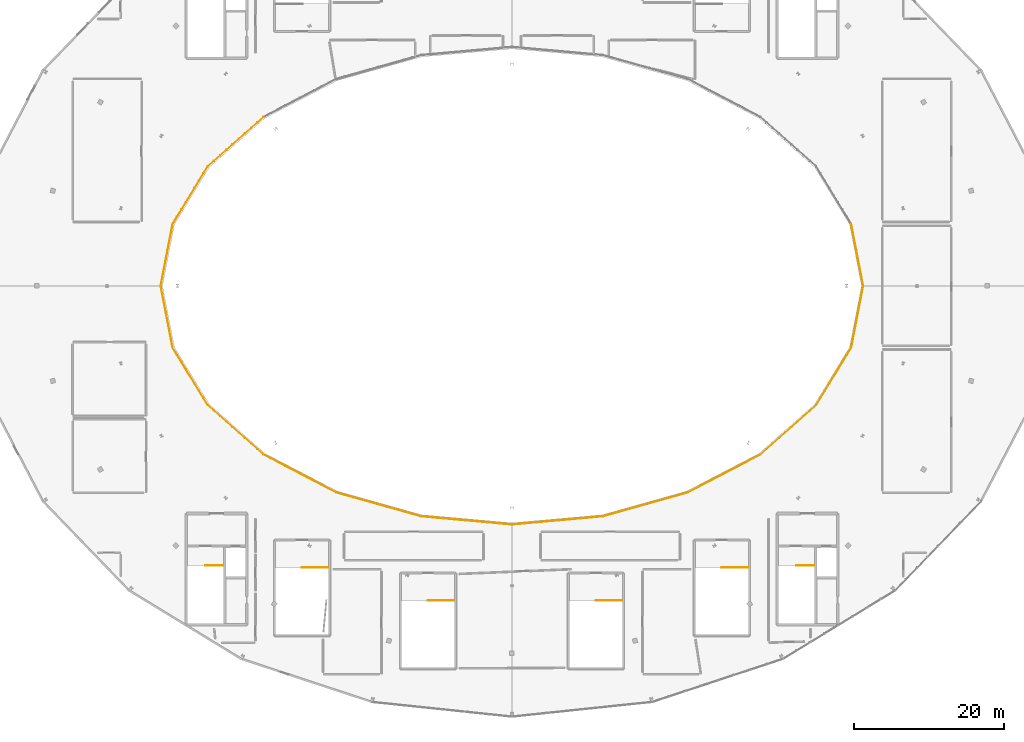
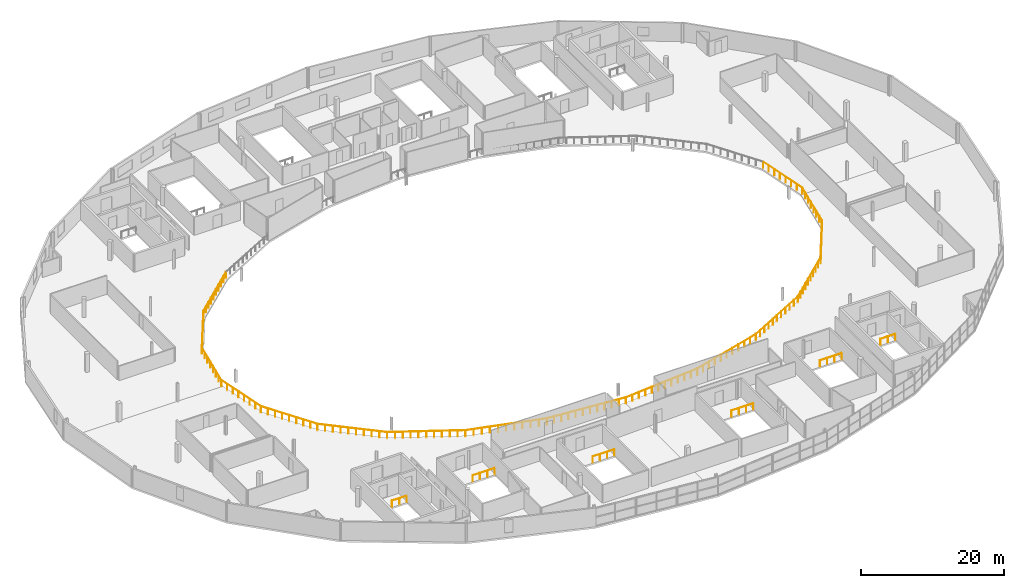
# One storey, part 34 of 35: 22 railings.
"""IFC4 building model written with IfcOpenShell, lengths in metres."""

from ifc_helpers import new_model, si_unit, direction, frame, origin, origin_2d, place, context, subcontext, project, spatial, circle, extrude, material, type_object, element, save


model = new_model("IFC4")

# Units and contexts
model_context = context("Model", 3, precision=1e-05, world=origin(), true_north=direction((0.0, 1.0)))
body_context = subcontext(model_context, "Body", "Model", "MODEL_VIEW")
ifc_project = project(units=[si_unit("LENGTHUNIT", "METRE"), si_unit("AREAUNIT", "SQUARE_METRE"), si_unit("VOLUMEUNIT", "CUBIC_METRE"), si_unit("PLANEANGLEUNIT", "RADIAN"), si_unit("MASSUNIT", "GRAM", prefix="KILO")], contexts=[model_context])

# Site, building, storey
site_placement = place(None, origin())
site = spatial("IfcSite", under=ifc_project, at=site_placement, CompositionType="ELEMENT")
building_placement = place(site_placement, origin())
building = spatial("IfcBuilding", under=site, at=building_placement, Name="Kalgoora Escarpment Arena", CompositionType="ELEMENT")
storey_placement = place(building_placement, frame((0.0, 0.0, 23.39990234375)))
storey = spatial("IfcBuildingStorey", under=building, at=storey_placement, Name="L05", CompositionType="ELEMENT", Elevation=23.39990234375)

# Railings
ifc_material = material(Name="Galvanised & powdercoated tubular steel", Category="steel")
railing_type = type_object("IfcRailingType", Name="RAL-GUARD-1120", PredefinedType="GUARDRAIL", material=ifc_material)
for number, where, name in (
    (1, (53.889892578125, 26.7099609375, 0.0), "ST05 top landing well guardrail"),
    (2, (132.68994140625, 26.7099609375, 0.0), "ST06 top landing well guardrail"),
):
    element("IfcRailing", number, at=place(storey_placement, frame(where)), inside=storey, type_object=railing_type, Name=name, PredefinedType="GUARDRAIL", context=body_context, shape_type="SweptSolid", body=[
        extrude(circle(Radius=0.02392578125, at=origin_2d()), frame((0.0, 0.0, 1.09619140625), z_axis=(-1.0, 0.0, 0.0), x_axis=(0.0, -1.0, 0.0)), (0.0, 0.0, 1.0), 2.3798828125),
        extrude(circle(Radius=0.02099609375, at=origin_2d()), origin(), (0.0, 0.0, 1.0), 1.072021484375),
        extrude(circle(Radius=0.02099609375, at=origin_2d()), frame((-1.18994140625, 0.0, 0.0)), (0.0, 0.0, 1.0), 1.072021484375),
        extrude(circle(Radius=0.02099609375, at=origin_2d()), frame((-2.3798828125, 0.0, 0.0)), (0.0, 0.0, 1.0), 1.072021484375),
    ])
railing_1_placement = place(storey_placement, frame((67.889892578125, 26.409912109375, 0.0)))
element("IfcRailing", 3, at=railing_1_placement, inside=storey, type_object=railing_type, Name="ST13 top landing well guardrail", PredefinedType="GUARDRAIL", context=body_context, shape_type="SweptSolid", body=[
    extrude(circle(Radius=0.02392578125, at=origin_2d()), frame((0.0, 0.0, 1.09619140625), z_axis=(-1.0, 0.0, 0.0), x_axis=(0.0, -1.0, 0.0)), (0.0, 0.0, 1.0), 3.52978515625),
    extrude(circle(Radius=0.02099609375, at=origin_2d()), origin(), (0.0, 0.0, 1.0), 1.072021484375),
    extrude(circle(Radius=0.02099609375, at=origin_2d()), frame((-1.176513671875, 0.0, 0.0)), (0.0, 0.0, 1.0), 1.072021484375),
    extrude(circle(Radius=0.02099609375, at=origin_2d()), frame((-2.353271484375, 0.0, 0.0)), (0.0, 0.0, 1.0), 1.072021484375),
    extrude(circle(Radius=0.02099609375, at=origin_2d()), frame((-3.52978515625, 0.0, 0.0)), (0.0, 0.0, 1.0), 1.072021484375),
])
for number, where, name in (
    (4, (84.68994140625, 22.010009765625, 0.0), "ST14 top landing well guardrail"),
    (5, (107.090087890625, 22.010009765625, 0.0), "ST15 top landing well guardrail"),
):
    element("IfcRailing", number, at=place(storey_placement, frame(where)), inside=storey, type_object=railing_type, Name=name, PredefinedType="GUARDRAIL", context=body_context, shape_type="SweptSolid", body=[
        extrude(circle(Radius=0.02392578125, at=origin_2d()), frame((0.0, 0.0, 1.09619140625), z_axis=(-1.0, 0.0, 0.0), x_axis=(0.0, -1.0, 0.0)), (0.0, 0.0, 1.0), 3.530029296875),
        extrude(circle(Radius=0.02099609375, at=origin_2d()), origin(), (0.0, 0.0, 1.0), 1.072021484375),
        extrude(circle(Radius=0.02099609375, at=origin_2d()), frame((-1.1767578125, 0.0, 0.0)), (0.0, 0.0, 1.0), 1.072021484375),
        extrude(circle(Radius=0.02099609375, at=origin_2d()), frame((-2.353271484375, 0.0, 0.0)), (0.0, 0.0, 1.0), 1.072021484375),
        extrude(circle(Radius=0.02099609375, at=origin_2d()), frame((-3.530029296875, 0.0, 0.0)), (0.0, 0.0, 1.0), 1.072021484375),
    ])
railing_2_placement = place(storey_placement, frame((123.889892578125, 26.409912109375, 0.0)))
element("IfcRailing", 6, at=railing_2_placement, inside=storey, type_object=railing_type, Name="ST16 top landing well guardrail", PredefinedType="GUARDRAIL", context=body_context, shape_type="SweptSolid", body=[
    extrude(circle(Radius=0.02392578125, at=origin_2d()), frame((0.0, 0.0, 1.09619140625), z_axis=(-1.0, 0.0, 0.0), x_axis=(0.0, -1.0, 0.0)), (0.0, 0.0, 1.0), 3.52978515625),
    extrude(circle(Radius=0.02099609375, at=origin_2d()), origin(), (0.0, 0.0, 1.0), 1.072021484375),
    extrude(circle(Radius=0.02099609375, at=origin_2d()), frame((-1.176513671875, 0.0, 0.0)), (0.0, 0.0, 1.0), 1.072021484375),
    extrude(circle(Radius=0.02099609375, at=origin_2d()), frame((-2.353271484375, 0.0, 0.0)), (0.0, 0.0, 1.0), 1.072021484375),
    extrude(circle(Radius=0.02099609375, at=origin_2d()), frame((-3.52978515625, 0.0, 0.0)), (0.0, 0.0, 1.0), 1.072021484375),
])
railing_3_placement = place(storey_placement, frame((139.25, 64.0, 0.0)))
element("IfcRailing", 7, at=railing_3_placement, inside=storey, type_object=railing_type, Name="L05 concourse bowl balustrade 01", PredefinedType="GUARDRAIL", context=body_context, shape_type="SweptSolid", body=[
    extrude(circle(Radius=0.02392578125, at=origin_2d()), frame((0.0, 0.0, 1.09619140625), z_axis=(-0.190129490405, 0.981759021796, 0.0), x_axis=(-0.981759021796, -0.190129490405, 0.0)), (0.0, 0.0, 1.0), 8.396484375),
    extrude(circle(Radius=0.02099609375, at=origin_2d()), origin(), (0.0, 0.0, 1.0), 1.072021484375),
    extrude(circle(Radius=0.02099609375, at=origin_2d()), frame((-0.22802734375, 1.177734375, 0.0)), (0.0, 0.0, 1.0), 1.072021484375),
    extrude(circle(Radius=0.02099609375, at=origin_2d()), frame((-0.4560546875, 2.355224609375, 0.0)), (0.0, 0.0, 1.0), 1.072021484375),
    extrude(circle(Radius=0.02099609375, at=origin_2d()), frame((-0.68408203125, 3.532958984375, 0.0)), (0.0, 0.0, 1.0), 1.072021484375),
    extrude(circle(Radius=0.02099609375, at=origin_2d()), frame((-0.912353515625, 4.71044921875, 0.0)), (0.0, 0.0, 1.0), 1.072021484375),
    extrude(circle(Radius=0.02099609375, at=origin_2d()), frame((-1.140380859375, 5.88818359375, 0.0)), (0.0, 0.0, 1.0), 1.072021484375),
    extrude(circle(Radius=0.02099609375, at=origin_2d()), frame((-1.368408203125, 7.065673828125, 0.0)), (0.0, 0.0, 1.0), 1.072021484375),
    extrude(circle(Radius=0.02099609375, at=origin_2d()), frame((-1.596435546875, 8.243408203125, 0.0)), (0.0, 0.0, 1.0), 1.072021484375),
])
railing_4_placement = place(storey_placement, frame((59.27197265625, 86.521484375, 0.0)))
element("IfcRailing", 8, at=railing_4_placement, inside=storey, type_object=railing_type, Name="L05 concourse bowl balustrade 10", PredefinedType="GUARDRAIL", context=body_context, shape_type="SweptSolid", body=[
    extrude(circle(Radius=0.02392578125, at=origin_2d()), frame((0.0, 0.0, 1.09619140625), z_axis=(-0.748487582417, -0.663148806051, 0.0), x_axis=(0.663148806051, -0.748487582417, 0.0)), (0.0, 0.0, 1.0), 9.947021484375),
    extrude(circle(Radius=0.02099609375, at=origin_2d()), origin(), (0.0, 0.0, 1.0), 1.072021484375),
    extrude(circle(Radius=0.02099609375, at=origin_2d()), frame((-0.8271484375, -0.73291015625, 0.0)), (0.0, 0.0, 1.0), 1.072021484375),
    extrude(circle(Radius=0.02099609375, at=origin_2d()), frame((-1.654541015625, -1.4658203125, 0.0)), (0.0, 0.0, 1.0), 1.072021484375),
    extrude(circle(Radius=0.02099609375, at=origin_2d()), frame((-2.481689453125, -2.19873046875, 0.0)), (0.0, 0.0, 1.0), 1.072021484375),
    extrude(circle(Radius=0.02099609375, at=origin_2d()), frame((-3.30908203125, -2.931640625, 0.0)), (0.0, 0.0, 1.0), 1.072021484375),
    extrude(circle(Radius=0.02099609375, at=origin_2d()), frame((-4.13623046875, -3.664794921875, 0.0)), (0.0, 0.0, 1.0), 1.072021484375),
    extrude(circle(Radius=0.02099609375, at=origin_2d()), frame((-4.963623046875, -4.397705078125, 0.0)), (0.0, 0.0, 1.0), 1.072021484375),
    extrude(circle(Radius=0.02099609375, at=origin_2d()), frame((-5.790771484375, -5.130615234375, 0.0)), (0.0, 0.0, 1.0), 1.072021484375),
    extrude(circle(Radius=0.02099609375, at=origin_2d()), frame((-6.6181640625, -5.863525390625, 0.0)), (0.0, 0.0, 1.0), 1.072021484375),
    extrude(circle(Radius=0.02099609375, at=origin_2d()), frame((-7.4453125, -6.596435546875, 0.0)), (0.0, 0.0, 1.0), 1.072021484375),
])
railing_5_placement = place(storey_placement, frame((51.82666015625, 79.925048828125, 0.0)))
element("IfcRailing", 9, at=railing_5_placement, inside=storey, type_object=railing_type, Name="L05 concourse bowl balustrade 11", PredefinedType="GUARDRAIL", context=body_context, shape_type="SweptSolid", body=[
    extrude(circle(Radius=0.02392578125, at=origin_2d()), frame((0.0, 0.0, 1.09619140625), z_axis=(-0.520303373026, -0.853981498639, 0.0), x_axis=(0.853981498639, -0.520303373026, 0.0)), (0.0, 0.0, 1.0), 8.9951171875),
    extrude(circle(Radius=0.02099609375, at=origin_2d()), origin(), (0.0, 0.0, 1.0), 1.072021484375),
    extrude(circle(Radius=0.02099609375, at=origin_2d()), frame((-0.5849609375, -0.960205078125, 0.0)), (0.0, 0.0, 1.0), 1.072021484375),
    extrude(circle(Radius=0.02099609375, at=origin_2d()), frame((-1.169921875, -1.92041015625, 0.0)), (0.0, 0.0, 1.0), 1.072021484375),
    extrude(circle(Radius=0.02099609375, at=origin_2d()), frame((-1.755126953125, -2.880615234375, 0.0)), (0.0, 0.0, 1.0), 1.072021484375),
    extrude(circle(Radius=0.02099609375, at=origin_2d()), frame((-2.340087890625, -3.8408203125, 0.0)), (0.0, 0.0, 1.0), 1.072021484375),
    extrude(circle(Radius=0.02099609375, at=origin_2d()), frame((-2.925048828125, -4.801025390625, 0.0)), (0.0, 0.0, 1.0), 1.072021484375),
    extrude(circle(Radius=0.02099609375, at=origin_2d()), frame((-3.51025390625, -5.76123046875, 0.0)), (0.0, 0.0, 1.0), 1.072021484375),
    extrude(circle(Radius=0.02099609375, at=origin_2d()), frame((-4.09521484375, -6.721435546875, 0.0)), (0.0, 0.0, 1.0), 1.072021484375),
    extrude(circle(Radius=0.02099609375, at=origin_2d()), frame((-4.68017578125, -7.681640625, 0.0)), (0.0, 0.0, 1.0), 1.072021484375),
])
railing_6_placement = place(storey_placement, frame((47.146484375, 72.243408203125, 0.0)))
element("IfcRailing", 10, at=railing_6_placement, inside=storey, type_object=railing_type, Name="L05 concourse bowl balustrade 12", PredefinedType="GUARDRAIL", context=body_context, shape_type="SweptSolid", body=[
    extrude(circle(Radius=0.02392578125, at=origin_2d()), frame((0.0, 0.0, 1.09619140625), z_axis=(-0.190129490405, -0.981759021796, 0.0), x_axis=(0.981759021796, -0.190129490405, 0.0)), (0.0, 0.0, 1.0), 8.396484375),
    extrude(circle(Radius=0.02099609375, at=origin_2d()), origin(), (0.0, 0.0, 1.0), 1.072021484375),
    extrude(circle(Radius=0.02099609375, at=origin_2d()), frame((-0.22802734375, -1.177734375, 0.0)), (0.0, 0.0, 1.0), 1.072021484375),
    extrude(circle(Radius=0.02099609375, at=origin_2d()), frame((-0.4560546875, -2.355224609375, 0.0)), (0.0, 0.0, 1.0), 1.072021484375),
    extrude(circle(Radius=0.02099609375, at=origin_2d()), frame((-0.68408203125, -3.532958984375, 0.0)), (0.0, 0.0, 1.0), 1.072021484375),
    extrude(circle(Radius=0.02099609375, at=origin_2d()), frame((-0.912353515625, -4.71044921875, 0.0)), (0.0, 0.0, 1.0), 1.072021484375),
    extrude(circle(Radius=0.02099609375, at=origin_2d()), frame((-1.140380859375, -5.88818359375, 0.0)), (0.0, 0.0, 1.0), 1.072021484375),
    extrude(circle(Radius=0.02099609375, at=origin_2d()), frame((-1.368408203125, -7.065673828125, 0.0)), (0.0, 0.0, 1.0), 1.072021484375),
    extrude(circle(Radius=0.02099609375, at=origin_2d()), frame((-1.596435546875, -8.243408203125, 0.0)), (0.0, 0.0, 1.0), 1.072021484375),
])
railing_7_placement = place(storey_placement, frame((45.550048828125, 64.0, 0.0)))
element("IfcRailing", 11, at=railing_7_placement, inside=storey, type_object=railing_type, Name="L05 concourse bowl balustrade 13", PredefinedType="GUARDRAIL", context=body_context, shape_type="SweptSolid", body=[
    extrude(circle(Radius=0.02392578125, at=origin_2d()), frame((0.0, 0.0, 1.09619140625), z_axis=(0.190129490405, -0.981759021796, 0.0), x_axis=(0.981759021796, 0.190129490405, 0.0)), (0.0, 0.0, 1.0), 8.396484375),
    extrude(circle(Radius=0.02099609375, at=origin_2d()), origin(), (0.0, 0.0, 1.0), 1.072021484375),
    extrude(circle(Radius=0.02099609375, at=origin_2d()), frame((0.22802734375, -1.177734375, 0.0)), (0.0, 0.0, 1.0), 1.072021484375),
    extrude(circle(Radius=0.02099609375, at=origin_2d()), frame((0.4560546875, -2.355224609375, 0.0)), (0.0, 0.0, 1.0), 1.072021484375),
    extrude(circle(Radius=0.02099609375, at=origin_2d()), frame((0.68408203125, -3.532958984375, 0.0)), (0.0, 0.0, 1.0), 1.072021484375),
    extrude(circle(Radius=0.02099609375, at=origin_2d()), frame((0.912353515625, -4.71044921875, 0.0)), (0.0, 0.0, 1.0), 1.072021484375),
    extrude(circle(Radius=0.02099609375, at=origin_2d()), frame((1.140380859375, -5.88818359375, 0.0)), (0.0, 0.0, 1.0), 1.072021484375),
    extrude(circle(Radius=0.02099609375, at=origin_2d()), frame((1.368408203125, -7.065673828125, 0.0)), (0.0, 0.0, 1.0), 1.072021484375),
    extrude(circle(Radius=0.02099609375, at=origin_2d()), frame((1.596435546875, -8.243408203125, 0.0)), (0.0, 0.0, 1.0), 1.072021484375),
])
railing_8_placement = place(storey_placement, frame((47.146484375, 55.756591796875, 0.0)))
element("IfcRailing", 12, at=railing_8_placement, inside=storey, type_object=railing_type, Name="L05 concourse bowl balustrade 14", PredefinedType="GUARDRAIL", context=body_context, shape_type="SweptSolid", body=[
    extrude(circle(Radius=0.02392578125, at=origin_2d()), frame((0.0, 0.0, 1.09619140625), z_axis=(0.520303373026, -0.853981498639, 0.0), x_axis=(0.853981498639, 0.520303373026, 0.0)), (0.0, 0.0, 1.0), 8.9951171875),
    extrude(circle(Radius=0.02099609375, at=origin_2d()), origin(), (0.0, 0.0, 1.0), 1.072021484375),
    extrude(circle(Radius=0.02099609375, at=origin_2d()), frame((0.5849609375, -0.960205078125, 0.0)), (0.0, 0.0, 1.0), 1.072021484375),
    extrude(circle(Radius=0.02099609375, at=origin_2d()), frame((1.169921875, -1.92041015625, 0.0)), (0.0, 0.0, 1.0), 1.072021484375),
    extrude(circle(Radius=0.02099609375, at=origin_2d()), frame((1.755126953125, -2.880615234375, 0.0)), (0.0, 0.0, 1.0), 1.072021484375),
    extrude(circle(Radius=0.02099609375, at=origin_2d()), frame((2.340087890625, -3.8408203125, 0.0)), (0.0, 0.0, 1.0), 1.072021484375),
    extrude(circle(Radius=0.02099609375, at=origin_2d()), frame((2.925048828125, -4.801025390625, 0.0)), (0.0, 0.0, 1.0), 1.072021484375),
    extrude(circle(Radius=0.02099609375, at=origin_2d()), frame((3.51025390625, -5.76123046875, 0.0)), (0.0, 0.0, 1.0), 1.072021484375),
    extrude(circle(Radius=0.02099609375, at=origin_2d()), frame((4.09521484375, -6.721435546875, 0.0)), (0.0, 0.0, 1.0), 1.072021484375),
    extrude(circle(Radius=0.02099609375, at=origin_2d()), frame((4.68017578125, -7.681640625, 0.0)), (0.0, 0.0, 1.0), 1.072021484375),
])
railing_9_placement = place(storey_placement, frame((51.82666015625, 48.074951171875, 0.0)))
element("IfcRailing", 13, at=railing_9_placement, inside=storey, type_object=railing_type, Name="L05 concourse bowl balustrade 15", PredefinedType="GUARDRAIL", context=body_context, shape_type="SweptSolid", body=[
    extrude(circle(Radius=0.02392578125, at=origin_2d()), frame((0.0, 0.0, 1.09619140625), z_axis=(0.748487582417, -0.663148806051, 0.0), x_axis=(0.663148806051, 0.748487582417, 0.0)), (0.0, 0.0, 1.0), 9.947021484375),
    extrude(circle(Radius=0.02099609375, at=origin_2d()), origin(), (0.0, 0.0, 1.0), 1.072021484375),
    extrude(circle(Radius=0.02099609375, at=origin_2d()), frame((0.8271484375, -0.73291015625, 0.0)), (0.0, 0.0, 1.0), 1.072021484375),
    extrude(circle(Radius=0.02099609375, at=origin_2d()), frame((1.654541015625, -1.4658203125, 0.0)), (0.0, 0.0, 1.0), 1.072021484375),
    extrude(circle(Radius=0.02099609375, at=origin_2d()), frame((2.481689453125, -2.19873046875, 0.0)), (0.0, 0.0, 1.0), 1.072021484375),
    extrude(circle(Radius=0.02099609375, at=origin_2d()), frame((3.30908203125, -2.931640625, 0.0)), (0.0, 0.0, 1.0), 1.072021484375),
    extrude(circle(Radius=0.02099609375, at=origin_2d()), frame((4.13623046875, -3.664794921875, 0.0)), (0.0, 0.0, 1.0), 1.072021484375),
    extrude(circle(Radius=0.02099609375, at=origin_2d()), frame((4.963623046875, -4.397705078125, 0.0)), (0.0, 0.0, 1.0), 1.072021484375),
    extrude(circle(Radius=0.02099609375, at=origin_2d()), frame((5.790771484375, -5.130615234375, 0.0)), (0.0, 0.0, 1.0), 1.072021484375),
    extrude(circle(Radius=0.02099609375, at=origin_2d()), frame((6.6181640625, -5.863525390625, 0.0)), (0.0, 0.0, 1.0), 1.072021484375),
    extrude(circle(Radius=0.02099609375, at=origin_2d()), frame((7.4453125, -6.596435546875, 0.0)), (0.0, 0.0, 1.0), 1.072021484375),
])
railing_10_placement = place(storey_placement, frame((59.27197265625, 41.478515625, 0.0)))
element("IfcRailing", 14, at=railing_10_placement, inside=storey, type_object=railing_type, Name="L05 concourse bowl balustrade 16", PredefinedType="GUARDRAIL", context=body_context, shape_type="SweptSolid", body=[
    extrude(circle(Radius=0.02392578125, at=origin_2d()), frame((0.0, 0.0, 1.09619140625), z_axis=(0.886621438299, -0.462495865007, 0.0), x_axis=(0.462495865007, 0.886621438299, 0.0)), (0.0, 0.0, 1.0), 10.94384765625),
    extrude(circle(Radius=0.02099609375, at=origin_2d()), origin(), (0.0, 0.0, 1.0), 1.072021484375),
    extrude(circle(Radius=0.02099609375, at=origin_2d()), frame((0.97021484375, -0.506103515625, 0.0)), (0.0, 0.0, 1.0), 1.072021484375),
    extrude(circle(Radius=0.02099609375, at=origin_2d()), frame((1.940673828125, -1.01220703125, 0.0)), (0.0, 0.0, 1.0), 1.072021484375),
    extrude(circle(Radius=0.02099609375, at=origin_2d()), frame((2.910888671875, -1.5185546875, 0.0)), (0.0, 0.0, 1.0), 1.072021484375),
    extrude(circle(Radius=0.02099609375, at=origin_2d()), frame((3.88134765625, -2.024658203125, 0.0)), (0.0, 0.0, 1.0), 1.072021484375),
    extrude(circle(Radius=0.02099609375, at=origin_2d()), frame((4.8515625, -2.53076171875, 0.0)), (0.0, 0.0, 1.0), 1.072021484375),
    extrude(circle(Radius=0.02099609375, at=origin_2d()), frame((5.82177734375, -3.036865234375, 0.0)), (0.0, 0.0, 1.0), 1.072021484375),
    extrude(circle(Radius=0.02099609375, at=origin_2d()), frame((6.792236328125, -3.54296875, 0.0)), (0.0, 0.0, 1.0), 1.072021484375),
    extrude(circle(Radius=0.02099609375, at=origin_2d()), frame((7.762451171875, -4.04931640625, 0.0)), (0.0, 0.0, 1.0), 1.072021484375),
    extrude(circle(Radius=0.02099609375, at=origin_2d()), frame((8.73291015625, -4.555419921875, 0.0)), (0.0, 0.0, 1.0), 1.072021484375),
    extrude(circle(Radius=0.02099609375, at=origin_2d()), frame((9.703125, -5.0615234375, 0.0)), (0.0, 0.0, 1.0), 1.072021484375),
])
railing_11_placement = place(storey_placement, frame((68.97509765625, 36.4169921875, 0.0)))
element("IfcRailing", 15, at=railing_11_placement, inside=storey, type_object=railing_type, Name="L05 concourse bowl balustrade 17", PredefinedType="GUARDRAIL", context=body_context, shape_type="SweptSolid", body=[
    extrude(circle(Radius=0.02392578125, at=origin_2d()), frame((0.0, 0.0, 1.09619140625), z_axis=(0.962568569832, -0.271038278425, 0.0), x_axis=(0.271038278425, 0.962568569832, 0.0)), (0.0, 0.0, 1.0), 11.73876953125),
    extrude(circle(Radius=0.02099609375, at=origin_2d()), origin(), (0.0, 0.0, 1.0), 1.072021484375),
    extrude(circle(Radius=0.02099609375, at=origin_2d()), frame((1.1298828125, -0.318115234375, 0.0)), (0.0, 0.0, 1.0), 1.072021484375),
    extrude(circle(Radius=0.02099609375, at=origin_2d()), frame((2.259765625, -0.63623046875, 0.0)), (0.0, 0.0, 1.0), 1.072021484375),
    extrude(circle(Radius=0.02099609375, at=origin_2d()), frame((3.389892578125, -0.95458984375, 0.0)), (0.0, 0.0, 1.0), 1.072021484375),
    extrude(circle(Radius=0.02099609375, at=origin_2d()), frame((4.519775390625, -1.272705078125, 0.0)), (0.0, 0.0, 1.0), 1.072021484375),
    extrude(circle(Radius=0.02099609375, at=origin_2d()), frame((5.649658203125, -1.5908203125, 0.0)), (0.0, 0.0, 1.0), 1.072021484375),
    extrude(circle(Radius=0.02099609375, at=origin_2d()), frame((6.779541015625, -1.908935546875, 0.0)), (0.0, 0.0, 1.0), 1.072021484375),
    extrude(circle(Radius=0.02099609375, at=origin_2d()), frame((7.909423828125, -2.22705078125, 0.0)), (0.0, 0.0, 1.0), 1.072021484375),
    extrude(circle(Radius=0.02099609375, at=origin_2d()), frame((9.03955078125, -2.54541015625, 0.0)), (0.0, 0.0, 1.0), 1.072021484375),
    extrude(circle(Radius=0.02099609375, at=origin_2d()), frame((10.16943359375, -2.863525390625, 0.0)), (0.0, 0.0, 1.0), 1.072021484375),
    extrude(circle(Radius=0.02099609375, at=origin_2d()), frame((11.29931640625, -3.181640625, 0.0)), (0.0, 0.0, 1.0), 1.072021484375),
])
railing_12_placement = place(storey_placement, frame((80.2744140625, 33.2353515625, 0.0)))
element("IfcRailing", 16, at=railing_12_placement, inside=storey, type_object=railing_type, Name="L05 concourse bowl balustrade 18", PredefinedType="GUARDRAIL", context=body_context, shape_type="SweptSolid", body=[
    extrude(circle(Radius=0.02392578125, at=origin_2d()), frame((0.0, 0.0, 1.09619140625), z_axis=(0.996017186809, -0.089161446715, 0.0), x_axis=(0.089161446715, 0.996017186809, 0.0)), (0.0, 0.0, 1.0), 12.174072265625),
    extrude(circle(Radius=0.02099609375, at=origin_2d()), origin(), (0.0, 0.0, 1.0), 1.072021484375),
    extrude(circle(Radius=0.02099609375, at=origin_2d()), frame((1.102294921875, -0.0986328125, 0.0)), (0.0, 0.0, 1.0), 1.072021484375),
    extrude(circle(Radius=0.02099609375, at=origin_2d()), frame((2.20458984375, -0.197265625, 0.0)), (0.0, 0.0, 1.0), 1.072021484375),
    extrude(circle(Radius=0.02099609375, at=origin_2d()), frame((3.306884765625, -0.296142578125, 0.0)), (0.0, 0.0, 1.0), 1.072021484375),
    extrude(circle(Radius=0.02099609375, at=origin_2d()), frame((4.4091796875, -0.394775390625, 0.0)), (0.0, 0.0, 1.0), 1.072021484375),
    extrude(circle(Radius=0.02099609375, at=origin_2d()), frame((5.511474609375, -0.493408203125, 0.0)), (0.0, 0.0, 1.0), 1.072021484375),
    extrude(circle(Radius=0.02099609375, at=origin_2d()), frame((6.614013671875, -0.592041015625, 0.0)), (0.0, 0.0, 1.0), 1.072021484375),
    extrude(circle(Radius=0.02099609375, at=origin_2d()), frame((7.71630859375, -0.690673828125, 0.0)), (0.0, 0.0, 1.0), 1.072021484375),
    extrude(circle(Radius=0.02099609375, at=origin_2d()), frame((8.818603515625, -0.789306640625, 0.0)), (0.0, 0.0, 1.0), 1.072021484375),
    extrude(circle(Radius=0.02099609375, at=origin_2d()), frame((9.9208984375, -0.88818359375, 0.0)), (0.0, 0.0, 1.0), 1.072021484375),
    extrude(circle(Radius=0.02099609375, at=origin_2d()), frame((11.023193359375, -0.98681640625, 0.0)), (0.0, 0.0, 1.0), 1.072021484375),
    extrude(circle(Radius=0.02099609375, at=origin_2d()), frame((12.12548828125, -1.08544921875, 0.0)), (0.0, 0.0, 1.0), 1.072021484375),
])
railing_13_placement = place(storey_placement, frame((92.39990234375, 32.14990234375, 0.0)))
element("IfcRailing", 17, at=railing_13_placement, inside=storey, type_object=railing_type, Name="L05 concourse bowl balustrade 19", PredefinedType="GUARDRAIL", context=body_context, shape_type="SweptSolid", body=[
    extrude(circle(Radius=0.02392578125, at=origin_2d()), frame((0.0, 0.0, 1.09619140625), z_axis=(0.996017346232, 0.089159665801, 0.0), x_axis=(-0.089159665801, 0.996017346232, 0.0)), (0.0, 0.0, 1.0), 12.17431640625),
    extrude(circle(Radius=0.02099609375, at=origin_2d()), origin(), (0.0, 0.0, 1.0), 1.072021484375),
    extrude(circle(Radius=0.02099609375, at=origin_2d()), frame((1.102294921875, 0.0986328125, 0.0)), (0.0, 0.0, 1.0), 1.072021484375),
    extrude(circle(Radius=0.02099609375, at=origin_2d()), frame((2.20458984375, 0.197265625, 0.0)), (0.0, 0.0, 1.0), 1.072021484375),
    extrude(circle(Radius=0.02099609375, at=origin_2d()), frame((3.30712890625, 0.296142578125, 0.0)), (0.0, 0.0, 1.0), 1.072021484375),
    extrude(circle(Radius=0.02099609375, at=origin_2d()), frame((4.409423828125, 0.394775390625, 0.0)), (0.0, 0.0, 1.0), 1.072021484375),
    extrude(circle(Radius=0.02099609375, at=origin_2d()), frame((5.51171875, 0.493408203125, 0.0)), (0.0, 0.0, 1.0), 1.072021484375),
    extrude(circle(Radius=0.02099609375, at=origin_2d()), frame((6.614013671875, 0.592041015625, 0.0)), (0.0, 0.0, 1.0), 1.072021484375),
    extrude(circle(Radius=0.02099609375, at=origin_2d()), frame((7.71630859375, 0.690673828125, 0.0)), (0.0, 0.0, 1.0), 1.072021484375),
    extrude(circle(Radius=0.02099609375, at=origin_2d()), frame((8.818603515625, 0.789306640625, 0.0)), (0.0, 0.0, 1.0), 1.072021484375),
    extrude(circle(Radius=0.02099609375, at=origin_2d()), frame((9.921142578125, 0.88818359375, 0.0)), (0.0, 0.0, 1.0), 1.072021484375),
    extrude(circle(Radius=0.02099609375, at=origin_2d()), frame((11.0234375, 0.98681640625, 0.0)), (0.0, 0.0, 1.0), 1.072021484375),
    extrude(circle(Radius=0.02099609375, at=origin_2d()), frame((12.125732421875, 1.08544921875, 0.0)), (0.0, 0.0, 1.0), 1.072021484375),
])
railing_14_placement = place(storey_placement, frame((104.525634765625, 33.2353515625, 0.0)))
element("IfcRailing", 18, at=railing_14_placement, inside=storey, type_object=railing_type, Name="L05 concourse bowl balustrade 20", PredefinedType="GUARDRAIL", context=body_context, shape_type="SweptSolid", body=[
    extrude(circle(Radius=0.02392578125, at=origin_2d()), frame((0.0, 0.0, 1.09619140625), z_axis=(0.962568569832, 0.271038278425, 0.0), x_axis=(-0.271038278425, 0.962568569832, 0.0)), (0.0, 0.0, 1.0), 11.73876953125),
    extrude(circle(Radius=0.02099609375, at=origin_2d()), origin(), (0.0, 0.0, 1.0), 1.072021484375),
    extrude(circle(Radius=0.02099609375, at=origin_2d()), frame((1.1298828125, 0.318115234375, 0.0)), (0.0, 0.0, 1.0), 1.072021484375),
    extrude(circle(Radius=0.02099609375, at=origin_2d()), frame((2.259765625, 0.63623046875, 0.0)), (0.0, 0.0, 1.0), 1.072021484375),
    extrude(circle(Radius=0.02099609375, at=origin_2d()), frame((3.389892578125, 0.95458984375, 0.0)), (0.0, 0.0, 1.0), 1.072021484375),
    extrude(circle(Radius=0.02099609375, at=origin_2d()), frame((4.519775390625, 1.272705078125, 0.0)), (0.0, 0.0, 1.0), 1.072021484375),
    extrude(circle(Radius=0.02099609375, at=origin_2d()), frame((5.649658203125, 1.5908203125, 0.0)), (0.0, 0.0, 1.0), 1.072021484375),
    extrude(circle(Radius=0.02099609375, at=origin_2d()), frame((6.779541015625, 1.908935546875, 0.0)), (0.0, 0.0, 1.0), 1.072021484375),
    extrude(circle(Radius=0.02099609375, at=origin_2d()), frame((7.909423828125, 2.22705078125, 0.0)), (0.0, 0.0, 1.0), 1.072021484375),
    extrude(circle(Radius=0.02099609375, at=origin_2d()), frame((9.03955078125, 2.54541015625, 0.0)), (0.0, 0.0, 1.0), 1.072021484375),
    extrude(circle(Radius=0.02099609375, at=origin_2d()), frame((10.16943359375, 2.863525390625, 0.0)), (0.0, 0.0, 1.0), 1.072021484375),
    extrude(circle(Radius=0.02099609375, at=origin_2d()), frame((11.29931640625, 3.181640625, 0.0)), (0.0, 0.0, 1.0), 1.072021484375),
])
railing_15_placement = place(storey_placement, frame((115.824951171875, 36.4169921875, 0.0)))
element("IfcRailing", 19, at=railing_15_placement, inside=storey, type_object=railing_type, Name="L05 concourse bowl balustrade 21", PredefinedType="GUARDRAIL", context=body_context, shape_type="SweptSolid", body=[
    extrude(circle(Radius=0.02392578125, at=origin_2d()), frame((0.0, 0.0, 1.09619140625), z_axis=(0.886621438299, 0.462495865007, 0.0), x_axis=(-0.462495865007, 0.886621438299, 0.0)), (0.0, 0.0, 1.0), 10.94384765625),
    extrude(circle(Radius=0.02099609375, at=origin_2d()), origin(), (0.0, 0.0, 1.0), 1.072021484375),
    extrude(circle(Radius=0.02099609375, at=origin_2d()), frame((0.97021484375, 0.506103515625, 0.0)), (0.0, 0.0, 1.0), 1.072021484375),
    extrude(circle(Radius=0.02099609375, at=origin_2d()), frame((1.940673828125, 1.01220703125, 0.0)), (0.0, 0.0, 1.0), 1.072021484375),
    extrude(circle(Radius=0.02099609375, at=origin_2d()), frame((2.910888671875, 1.5185546875, 0.0)), (0.0, 0.0, 1.0), 1.072021484375),
    extrude(circle(Radius=0.02099609375, at=origin_2d()), frame((3.88134765625, 2.024658203125, 0.0)), (0.0, 0.0, 1.0), 1.072021484375),
    extrude(circle(Radius=0.02099609375, at=origin_2d()), frame((4.8515625, 2.53076171875, 0.0)), (0.0, 0.0, 1.0), 1.072021484375),
    extrude(circle(Radius=0.02099609375, at=origin_2d()), frame((5.82177734375, 3.036865234375, 0.0)), (0.0, 0.0, 1.0), 1.072021484375),
    extrude(circle(Radius=0.02099609375, at=origin_2d()), frame((6.792236328125, 3.54296875, 0.0)), (0.0, 0.0, 1.0), 1.072021484375),
    extrude(circle(Radius=0.02099609375, at=origin_2d()), frame((7.762451171875, 4.04931640625, 0.0)), (0.0, 0.0, 1.0), 1.072021484375),
    extrude(circle(Radius=0.02099609375, at=origin_2d()), frame((8.73291015625, 4.555419921875, 0.0)), (0.0, 0.0, 1.0), 1.072021484375),
    extrude(circle(Radius=0.02099609375, at=origin_2d()), frame((9.703125, 5.0615234375, 0.0)), (0.0, 0.0, 1.0), 1.072021484375),
])
railing_16_placement = place(storey_placement, frame((125.528076171875, 41.478515625, 0.0)))
element("IfcRailing", 20, at=railing_16_placement, inside=storey, type_object=railing_type, Name="L05 concourse bowl balustrade 22", PredefinedType="GUARDRAIL", context=body_context, shape_type="SweptSolid", body=[
    extrude(circle(Radius=0.02392578125, at=origin_2d()), frame((0.0, 0.0, 1.09619140625), z_axis=(0.748487582417, 0.663148806051, 0.0), x_axis=(-0.663148806051, 0.748487582417, 0.0)), (0.0, 0.0, 1.0), 9.947021484375),
    extrude(circle(Radius=0.02099609375, at=origin_2d()), origin(), (0.0, 0.0, 1.0), 1.072021484375),
    extrude(circle(Radius=0.02099609375, at=origin_2d()), frame((0.8271484375, 0.73291015625, 0.0)), (0.0, 0.0, 1.0), 1.072021484375),
    extrude(circle(Radius=0.02099609375, at=origin_2d()), frame((1.654541015625, 1.4658203125, 0.0)), (0.0, 0.0, 1.0), 1.072021484375),
    extrude(circle(Radius=0.02099609375, at=origin_2d()), frame((2.481689453125, 2.19873046875, 0.0)), (0.0, 0.0, 1.0), 1.072021484375),
    extrude(circle(Radius=0.02099609375, at=origin_2d()), frame((3.30908203125, 2.931640625, 0.0)), (0.0, 0.0, 1.0), 1.072021484375),
    extrude(circle(Radius=0.02099609375, at=origin_2d()), frame((4.13623046875, 3.664794921875, 0.0)), (0.0, 0.0, 1.0), 1.072021484375),
    extrude(circle(Radius=0.02099609375, at=origin_2d()), frame((4.963623046875, 4.397705078125, 0.0)), (0.0, 0.0, 1.0), 1.072021484375),
    extrude(circle(Radius=0.02099609375, at=origin_2d()), frame((5.790771484375, 5.130615234375, 0.0)), (0.0, 0.0, 1.0), 1.072021484375),
    extrude(circle(Radius=0.02099609375, at=origin_2d()), frame((6.6181640625, 5.863525390625, 0.0)), (0.0, 0.0, 1.0), 1.072021484375),
    extrude(circle(Radius=0.02099609375, at=origin_2d()), frame((7.4453125, 6.596435546875, 0.0)), (0.0, 0.0, 1.0), 1.072021484375),
])
railing_17_placement = place(storey_placement, frame((132.973388671875, 48.074951171875, 0.0)))
element("IfcRailing", 21, at=railing_17_placement, inside=storey, type_object=railing_type, Name="L05 concourse bowl balustrade 23", PredefinedType="GUARDRAIL", context=body_context, shape_type="SweptSolid", body=[
    extrude(circle(Radius=0.02392578125, at=origin_2d()), frame((0.0, 0.0, 1.09619140625), z_axis=(0.520303373026, 0.853981498639, 0.0), x_axis=(-0.853981498639, 0.520303373026, 0.0)), (0.0, 0.0, 1.0), 8.9951171875),
    extrude(circle(Radius=0.02099609375, at=origin_2d()), origin(), (0.0, 0.0, 1.0), 1.072021484375),
    extrude(circle(Radius=0.02099609375, at=origin_2d()), frame((0.5849609375, 0.960205078125, 0.0)), (0.0, 0.0, 1.0), 1.072021484375),
    extrude(circle(Radius=0.02099609375, at=origin_2d()), frame((1.169921875, 1.92041015625, 0.0)), (0.0, 0.0, 1.0), 1.072021484375),
    extrude(circle(Radius=0.02099609375, at=origin_2d()), frame((1.755126953125, 2.880615234375, 0.0)), (0.0, 0.0, 1.0), 1.072021484375),
    extrude(circle(Radius=0.02099609375, at=origin_2d()), frame((2.340087890625, 3.8408203125, 0.0)), (0.0, 0.0, 1.0), 1.072021484375),
    extrude(circle(Radius=0.02099609375, at=origin_2d()), frame((2.925048828125, 4.801025390625, 0.0)), (0.0, 0.0, 1.0), 1.072021484375),
    extrude(circle(Radius=0.02099609375, at=origin_2d()), frame((3.51025390625, 5.76123046875, 0.0)), (0.0, 0.0, 1.0), 1.072021484375),
    extrude(circle(Radius=0.02099609375, at=origin_2d()), frame((4.09521484375, 6.721435546875, 0.0)), (0.0, 0.0, 1.0), 1.072021484375),
    extrude(circle(Radius=0.02099609375, at=origin_2d()), frame((4.68017578125, 7.681640625, 0.0)), (0.0, 0.0, 1.0), 1.072021484375),
])
railing_18_placement = place(storey_placement, frame((137.653564453125, 55.756591796875, 0.0)))
element("IfcRailing", 22, at=railing_18_placement, inside=storey, type_object=railing_type, Name="L05 concourse bowl balustrade 24", PredefinedType="GUARDRAIL", context=body_context, shape_type="SweptSolid", body=[
    extrude(circle(Radius=0.02392578125, at=origin_2d()), frame((0.0, 0.0, 1.09619140625), z_axis=(0.190129490405, 0.981759021796, 0.0), x_axis=(-0.981759021796, 0.190129490405, 0.0)), (0.0, 0.0, 1.0), 8.396484375),
    extrude(circle(Radius=0.02099609375, at=origin_2d()), origin(), (0.0, 0.0, 1.0), 1.072021484375),
    extrude(circle(Radius=0.02099609375, at=origin_2d()), frame((0.22802734375, 1.177734375, 0.0)), (0.0, 0.0, 1.0), 1.072021484375),
    extrude(circle(Radius=0.02099609375, at=origin_2d()), frame((0.4560546875, 2.355224609375, 0.0)), (0.0, 0.0, 1.0), 1.072021484375),
    extrude(circle(Radius=0.02099609375, at=origin_2d()), frame((0.68408203125, 3.532958984375, 0.0)), (0.0, 0.0, 1.0), 1.072021484375),
    extrude(circle(Radius=0.02099609375, at=origin_2d()), frame((0.912353515625, 4.71044921875, 0.0)), (0.0, 0.0, 1.0), 1.072021484375),
    extrude(circle(Radius=0.02099609375, at=origin_2d()), frame((1.140380859375, 5.88818359375, 0.0)), (0.0, 0.0, 1.0), 1.072021484375),
    extrude(circle(Radius=0.02099609375, at=origin_2d()), frame((1.368408203125, 7.065673828125, 0.0)), (0.0, 0.0, 1.0), 1.072021484375),
    extrude(circle(Radius=0.02099609375, at=origin_2d()), frame((1.596435546875, 8.243408203125, 0.0)), (0.0, 0.0, 1.0), 1.072021484375),
])

save(model, "model.ifc")
